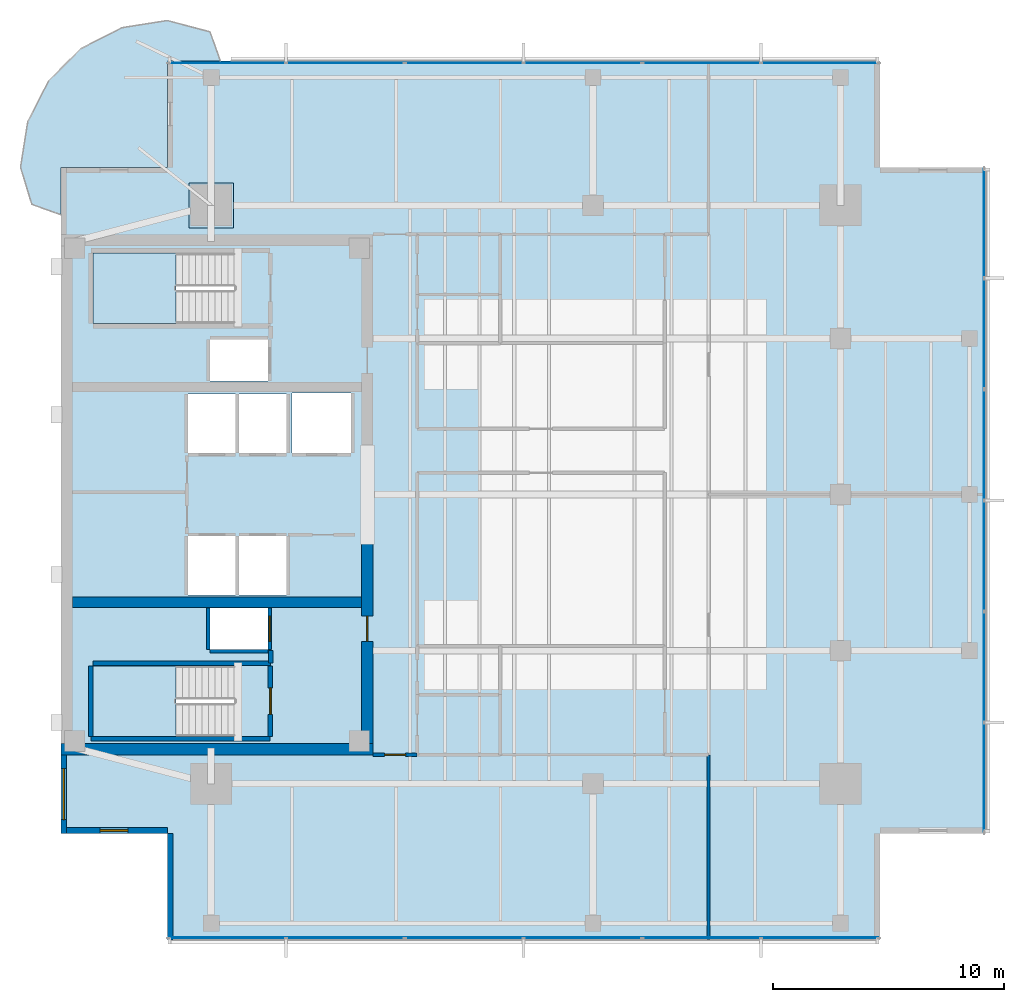
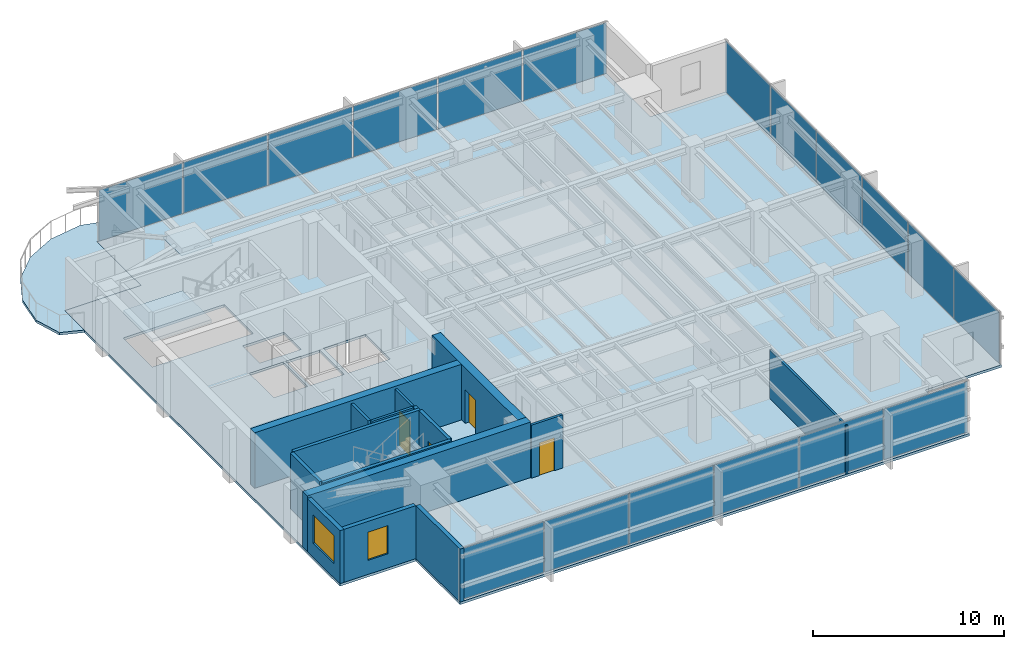
# One storey, part 7 of 14: 19 plates, 16 walls, 4 doors, 4 slabs, 2 windows, 6 openings, 5 elements without a shape of their own.
"""IFC4 building model written with IfcOpenShell, lengths in metres."""

from ifc_helpers import new_model, si_unit, direction, frame, frame_2d, origin, origin_2d, place, context, subcontext, project, spatial, polyline, rectangle, outline, extrude, material, layer, layer_set, type_object, element, fill, aggregate, save


model = new_model("IFC4")

# Units and contexts
model_context = context("Model", 3, precision=1e-05, world=origin(), true_north=direction((0.0, 1.0)))
body_context = subcontext(model_context, "Body", "Model", "MODEL_VIEW")
ifc_project = project(units=[si_unit("LENGTHUNIT", "METRE"), si_unit("AREAUNIT", "SQUARE_METRE"), si_unit("VOLUMEUNIT", "CUBIC_METRE"), si_unit("PLANEANGLEUNIT", "RADIAN"), si_unit("MASSUNIT", "GRAM", prefix="KILO")], contexts=[model_context])

# Site, building, storey
site_placement = place(None, origin())
site = spatial("IfcSite", under=ifc_project, at=site_placement, CompositionType="ELEMENT")
building_placement = place(site_placement, origin())
building = spatial("IfcBuilding", under=site, at=building_placement, Name="Kinhvarn Gate Tower", CompositionType="ELEMENT")
storey_placement = place(building_placement, frame((0.0, 0.0, 263.449951171875)))
storey = spatial("IfcBuildingStorey", under=building, at=storey_placement, Name="L70", CompositionType="ELEMENT", Elevation=263.449951171875)

# Curtain wall, plates
ifc_material_1 = material(Name="Anodised aluminium AW-6063", Category="aluminium")
ifc_layer_1 = layer(ifc_material_1, 0.179931640625)
ifc_layer_set_1 = layer_set([ifc_layer_1], Name="Anodised aluminium AW-6063")
curtain_wall_type = type_object("IfcCurtainWallType", Name="CW-SYS-3", PredefinedType="NOTDEFINED", material=ifc_layer_set_1)
curtain_wall_1_placement = place(storey_placement, origin())
curtain_wall_1 = element("IfcCurtainWall", 1, at=curtain_wall_1_placement, inside=storey, type_object=curtain_wall_type, Name="Curtain Wall CW3 (L70)", PredefinedType="NOTDEFINED")
ifc_material_2 = material(Name="Clear low-e double glazing", Category="glass")
ifc_layer_2 = layer(ifc_material_2, 0.031982421875)
ifc_layer_set_2 = layer_set([ifc_layer_2], Name="Clear low-e double glazing")
plate_type_1 = type_object("IfcPlateType", Name="CW-PNL-VIS", PredefinedType="CURTAIN_PANEL", material=ifc_layer_set_2)
plate_1_placement = place(storey_placement, frame((11.682861328125, 6.090087890625, 0.070068359375), z_axis=(0.0, 0.0, 1.0), x_axis=(1.0, 0.0, 0.0)))
plate_1 = element("IfcPlate", 2, at=plate_1_placement, type_object=plate_type_1, Name="CW3 panel 1.1", PredefinedType="CURTAIN_PANEL", context=body_context, shape_type="SweptSolid", body=[
    extrude(rectangle(XDim=5.035888671875, YDim=0.031982421875, at=origin_2d()), origin(), (0.0, 0.0, 1.0), 3.25),
])
plate_2_placement = place(storey_placement, frame((16.800048828125, 6.090087890625, 0.070068359375), z_axis=(0.0, 0.0, 1.0), x_axis=(1.0, 0.0, 0.0)))
plate_2 = element("IfcPlate", 3, at=plate_2_placement, type_object=plate_type_1, Name="CW3 panel 2.1", PredefinedType="CURTAIN_PANEL", context=body_context, shape_type="SweptSolid", body=[
    extrude(rectangle(XDim=5.068359375, YDim=0.031982421875, at=origin_2d()), origin(), (0.0, 0.0, 1.0), 3.25),
])
plate_3_placement = place(storey_placement, frame((21.933349609375, 6.090087890625, 0.070068359375), z_axis=(0.0, 0.0, 1.0), x_axis=(1.0, 0.0, 0.0)))
plate_3 = element("IfcPlate", 4, at=plate_3_placement, type_object=plate_type_1, Name="CW3 panel 3.1", PredefinedType="CURTAIN_PANEL", context=body_context, shape_type="SweptSolid", body=[
    extrude(rectangle(XDim=5.068359375, YDim=0.031982421875, at=origin_2d()), origin(), (0.0, 0.0, 1.0), 3.25),
])
plate_4_placement = place(storey_placement, frame((27.066650390625, 6.090087890625, 0.070068359375), z_axis=(0.0, 0.0, 1.0), x_axis=(1.0, 0.0, 0.0)))
plate_4 = element("IfcPlate", 5, at=plate_4_placement, type_object=plate_type_1, Name="CW3 panel 4.1", PredefinedType="CURTAIN_PANEL", context=body_context, shape_type="SweptSolid", body=[
    extrude(rectangle(XDim=5.068359375, YDim=0.031982421875, at=origin_2d()), origin(), (0.0, 0.0, 1.0), 3.25),
])
plate_5_placement = place(storey_placement, frame((32.199951171875, 6.090087890625, 0.070068359375), z_axis=(0.0, 0.0, 1.0), x_axis=(1.0, 0.0, 0.0)))
plate_5 = element("IfcPlate", 6, at=plate_5_placement, type_object=plate_type_1, Name="CW3 panel 5.1", PredefinedType="CURTAIN_PANEL", context=body_context, shape_type="SweptSolid", body=[
    extrude(rectangle(XDim=5.068359375, YDim=0.031982421875, at=origin_2d()), origin(), (0.0, 0.0, 1.0), 3.25),
])
plate_6_placement = place(storey_placement, frame((37.317138671875, 6.090087890625, 0.070068359375), z_axis=(0.0, 0.0, 1.0), x_axis=(1.0, 0.0, 0.0)))
plate_6 = element("IfcPlate", 7, at=plate_6_placement, type_object=plate_type_1, Name="CW3 panel 6.1", PredefinedType="CURTAIN_PANEL", context=body_context, shape_type="SweptSolid", body=[
    extrude(rectangle(XDim=5.035888671875, YDim=0.031982421875, at=origin_2d()), origin(), (0.0, 0.0, 1.0), 3.25),
])
aggregate(curtain_wall_1, [plate_1, plate_2, plate_3, plate_4, plate_5, plate_6])

curtain_wall_2_placement = place(storey_placement, origin())
curtain_wall_2 = element("IfcCurtainWall", 8, at=curtain_wall_2_placement, inside=storey, type_object=curtain_wall_type, Name="Curtain Wall CW3 (L70)", PredefinedType="NOTDEFINED")
plate_7_placement = place(storey_placement, frame((37.317138671875, 43.909912109375, 0.070068359375), z_axis=(0.0, 0.0, 1.0), x_axis=(-1.0, 0.0, 0.0)))
plate_7 = element("IfcPlate", 9, at=plate_7_placement, type_object=plate_type_1, Name="CW3 panel 1.1", PredefinedType="CURTAIN_PANEL", context=body_context, shape_type="SweptSolid", body=[
    extrude(rectangle(XDim=5.035888671875, YDim=0.031982421875, at=origin_2d()), origin(), (0.0, 0.0, 1.0), 3.25),
])
plate_8_placement = place(storey_placement, frame((32.199951171875, 43.909912109375, 0.070068359375), z_axis=(0.0, 0.0, 1.0), x_axis=(-1.0, 0.0, 0.0)))
plate_8 = element("IfcPlate", 10, at=plate_8_placement, type_object=plate_type_1, Name="CW3 panel 2.1", PredefinedType="CURTAIN_PANEL", context=body_context, shape_type="SweptSolid", body=[
    extrude(rectangle(XDim=5.068359375, YDim=0.031982421875, at=origin_2d()), origin(), (0.0, 0.0, 1.0), 3.25),
])
plate_9_placement = place(storey_placement, frame((27.066650390625, 43.909912109375, 0.070068359375), z_axis=(0.0, 0.0, 1.0), x_axis=(-1.0, 0.0, 0.0)))
plate_9 = element("IfcPlate", 11, at=plate_9_placement, type_object=plate_type_1, Name="CW3 panel 3.1", PredefinedType="CURTAIN_PANEL", context=body_context, shape_type="SweptSolid", body=[
    extrude(rectangle(XDim=5.068359375, YDim=0.031982421875, at=origin_2d()), origin(), (0.0, 0.0, 1.0), 3.25),
])
plate_10_placement = place(storey_placement, frame((21.933349609375, 43.909912109375, 0.070068359375), z_axis=(0.0, 0.0, 1.0), x_axis=(-1.0, 0.0, 0.0)))
plate_10 = element("IfcPlate", 12, at=plate_10_placement, type_object=plate_type_1, Name="CW3 panel 4.1", PredefinedType="CURTAIN_PANEL", context=body_context, shape_type="SweptSolid", body=[
    extrude(rectangle(XDim=5.068359375, YDim=0.031982421875, at=origin_2d()), origin(), (0.0, 0.0, 1.0), 3.25),
])
plate_11_placement = place(storey_placement, frame((16.800048828125, 43.909912109375, 0.070068359375), z_axis=(0.0, 0.0, 1.0), x_axis=(-1.0, 0.0, 0.0)))
plate_11 = element("IfcPlate", 13, at=plate_11_placement, type_object=plate_type_1, Name="CW3 panel 5.1", PredefinedType="CURTAIN_PANEL", context=body_context, shape_type="SweptSolid", body=[
    extrude(rectangle(XDim=5.068359375, YDim=0.031982421875, at=origin_2d()), origin(), (0.0, 0.0, 1.0), 3.25),
])
plate_12_placement = place(storey_placement, frame((11.682861328125, 43.909912109375, 0.070068359375), z_axis=(0.0, 0.0, 1.0), x_axis=(-1.0, 0.0, 0.0)))
plate_12 = element("IfcPlate", 14, at=plate_12_placement, type_object=plate_type_1, Name="CW3 panel 6.1", PredefinedType="CURTAIN_PANEL", context=body_context, shape_type="SweptSolid", body=[
    extrude(rectangle(XDim=5.035888671875, YDim=0.031982421875, at=origin_2d()), origin(), (0.0, 0.0, 1.0), 3.25),
])
aggregate(curtain_wall_2, [plate_7, plate_8, plate_9, plate_10, plate_11, plate_12])

curtain_wall_3_placement = place(storey_placement, origin())
curtain_wall_3 = element("IfcCurtainWall", 15, at=curtain_wall_3_placement, inside=storey, type_object=curtain_wall_type, Name="Curtain Wall CW3 (L70)", PredefinedType="NOTDEFINED")
plate_13_placement = place(storey_placement, frame((44.409912109375, 13.016357421875, 0.070068359375), z_axis=(0.0, 0.0, 1.0), x_axis=(0.0, 1.0, 0.0)))
plate_13 = element("IfcPlate", 16, at=plate_13_placement, type_object=plate_type_1, Name="CW3 panel 1.1", PredefinedType="CURTAIN_PANEL", context=body_context, shape_type="SweptSolid", body=[
    extrude(rectangle(XDim=4.702392578125, YDim=0.031982421875, at=origin_2d()), origin(), (0.0, 0.0, 1.0), 3.25),
])
plate_14_placement = place(storey_placement, frame((44.409912109375, 17.800048828125, 0.070068359375), z_axis=(0.0, 0.0, 1.0), x_axis=(0.0, 1.0, 0.0)))
plate_14 = element("IfcPlate", 17, at=plate_14_placement, type_object=plate_type_1, Name="CW3 panel 2.1", PredefinedType="CURTAIN_PANEL", context=body_context, shape_type="SweptSolid", body=[
    extrude(rectangle(XDim=4.735107421875, YDim=0.031982421875, at=origin_2d()), origin(), (0.0, 0.0, 1.0), 3.25),
])
plate_15_placement = place(storey_placement, frame((44.409912109375, 22.60009765625, 0.070068359375), z_axis=(0.0, 0.0, 1.0), x_axis=(0.0, 1.0, 0.0)))
plate_15 = element("IfcPlate", 18, at=plate_15_placement, type_object=plate_type_1, Name="CW3 panel 3.1", PredefinedType="CURTAIN_PANEL", context=body_context, shape_type="SweptSolid", body=[
    extrude(rectangle(XDim=4.735107421875, YDim=0.031982421875, at=origin_2d()), origin(), (0.0, 0.0, 1.0), 3.25),
])
plate_16_placement = place(storey_placement, frame((44.409912109375, 27.39990234375, 0.070068359375), z_axis=(0.0, 0.0, 1.0), x_axis=(0.0, 1.0, 0.0)))
plate_16 = element("IfcPlate", 19, at=plate_16_placement, type_object=plate_type_1, Name="CW3 panel 4.1", PredefinedType="CURTAIN_PANEL", context=body_context, shape_type="SweptSolid", body=[
    extrude(rectangle(XDim=4.735107421875, YDim=0.031982421875, at=origin_2d()), origin(), (0.0, 0.0, 1.0), 3.25),
])
plate_17_placement = place(storey_placement, frame((44.409912109375, 32.199951171875, 0.070068359375), z_axis=(0.0, 0.0, 1.0), x_axis=(0.0, 1.0, 0.0)))
plate_17 = element("IfcPlate", 20, at=plate_17_placement, type_object=plate_type_1, Name="CW3 panel 5.1", PredefinedType="CURTAIN_PANEL", context=body_context, shape_type="SweptSolid", body=[
    extrude(rectangle(XDim=4.735107421875, YDim=0.031982421875, at=origin_2d()), origin(), (0.0, 0.0, 1.0), 3.25),
])
plate_18_placement = place(storey_placement, frame((44.409912109375, 36.983642578125, 0.070068359375), z_axis=(0.0, 0.0, 1.0), x_axis=(0.0, 1.0, 0.0)))
plate_18 = element("IfcPlate", 21, at=plate_18_placement, type_object=plate_type_1, Name="CW3 panel 6.1", PredefinedType="CURTAIN_PANEL", context=body_context, shape_type="SweptSolid", body=[
    extrude(rectangle(XDim=4.702392578125, YDim=0.031982421875, at=origin_2d()), origin(), (0.0, 0.0, 1.0), 3.25),
])
aggregate(curtain_wall_3, [plate_13, plate_14, plate_15, plate_16, plate_17, plate_18])

# Plate
ifc_material_3 = material(Name="Steel S355", Category="steel")
ifc_layer_3 = layer(ifc_material_3, 0.031982421875)
ifc_layer_set_3 = layer_set([ifc_layer_3], Name="Steel S355")
plate_type_2 = type_object("IfcPlateType", Name="PLT-NODE-KN3", PredefinedType="USERDEFINED", material=ifc_layer_set_3)
plate_19_placement = place(storey_placement, frame((0.0, 0.0, 3.1240234375)))
element("IfcPlate", 22, at=plate_19_placement, inside=storey, type_object=plate_type_2, Name="Structural Node Cap Plate KN3", ObjectType="GUSSET_PLATE", PredefinedType="USERDEFINED", context=body_context, shape_type="SweptSolid", body=[
    extrude(outline(polyline([(10.030029296875, 36.780029296875), (11.969970703125, 36.780029296875), (11.969970703125, 38.719970703125), (10.030029296875, 38.719970703125), (10.030029296875, 36.780029296875)])), origin(), (0.0, 0.0, 1.0), 0.031982421875),
])

# Slabs
ifc_material_4 = material(Name="Precast white architectural concrete C40/50", Category="concrete")
ifc_layer_4 = layer(ifc_material_4, 0.159912109375)
ifc_layer_set_4 = layer_set([ifc_layer_4], Name="Precast white architectural concrete C40/50")
slab_type_1 = type_object("IfcSlabType", Name="SLB-BAL-160", PredefinedType="FLOOR", material=ifc_layer_set_4)
slab_1_placement = place(storey_placement, frame((0.0, 0.0, -0.159912109375)))
element("IfcSlab", 23, at=slab_1_placement, inside=storey, type_object=slab_type_1, Name="S-Carve Curved Terrace Balcony Slab L70 (NW)", PredefinedType="FLOOR", context=body_context, shape_type="SweptSolid", body=[
    extrude(outline(polyline([(11.39501953125, 44.0), (10.945068359375, 45.254150390625), (9.10009765625, 45.741943359375), (7.14013671875, 45.431640625), (5.372314453125, 44.53076171875), (3.96923828125, 43.127685546875), (3.068359375, 41.35986328125), (2.758056640625, 39.39990234375), (3.245849609375, 37.799072265625), (4.5, 37.34912109375), (4.5, 39.39990234375), (9.10009765625, 39.39990234375), (9.10009765625, 44.0), (11.39501953125, 44.0)])), origin(), (0.0, 0.0, 1.0), 0.159912109375),
])
ifc_material_5 = material(Name="Concrete C40/50", Category="concrete")
ifc_layer_5 = layer(ifc_material_5, 0.159912109375)
ifc_layer_set_5 = layer_set([ifc_layer_5], Name="Concrete C40/50")
slab_type_2 = type_object("IfcSlabType", Name="SLB-FLR-160", PredefinedType="FLOOR", material=ifc_layer_set_5)
slab_2_placement = place(storey_placement, frame((0.0, 0.0, -0.159912109375)))
element("IfcSlab", 24, at=slab_2_placement, inside=storey, type_object=slab_type_2, Name="Suspended Floor Slab L70", PredefinedType="FLOOR", context=body_context, shape_type="SweptSolid", body=[
    extrude(outline(polyline([(9.10009765625, 6.0), (39.89990234375, 6.0), (39.89990234375, 10.60009765625), (44.5, 10.60009765625), (44.5, 39.39990234375), (39.89990234375, 39.39990234375), (39.89990234375, 44.0), (9.10009765625, 44.0), (9.10009765625, 39.39990234375), (4.5, 39.39990234375), (4.5, 10.60009765625), (9.10009765625, 10.60009765625), (9.10009765625, 6.0)]), holes=[polyline([(5.89990234375, 14.800048828125), (12.0, 14.800048828125), (12.0, 17.85009765625), (5.89990234375, 17.85009765625), (5.89990234375, 14.800048828125)]), polyline([(5.89990234375, 32.64990234375), (12.0, 32.64990234375), (12.0, 35.699951171875), (5.89990234375, 35.699951171875), (5.89990234375, 32.64990234375)]), polyline([(10.0, 20.89990234375), (12.050048828125, 20.89990234375), (12.050048828125, 23.449951171875), (10.0, 23.449951171875), (10.0, 20.89990234375)]), polyline([(12.199951171875, 20.89990234375), (14.25, 20.89990234375), (14.25, 23.449951171875), (12.199951171875, 23.449951171875), (12.199951171875, 20.89990234375)]), polyline([(10.0, 27.050048828125), (12.050048828125, 27.050048828125), (12.050048828125, 29.60009765625), (10.0, 29.60009765625), (10.0, 27.050048828125)]), polyline([(12.199951171875, 27.050048828125), (14.25, 27.050048828125), (14.25, 29.60009765625), (12.199951171875, 29.60009765625), (12.199951171875, 27.050048828125)]), polyline([(14.5, 27.050048828125), (17.050048828125, 27.050048828125), (17.050048828125, 29.64990234375), (14.5, 29.64990234375), (14.5, 27.050048828125)]), polyline([(10.949951171875, 18.550048828125), (13.449951171875, 18.550048828125), (13.449951171875, 20.35009765625), (10.949951171875, 20.35009765625), (10.949951171875, 18.550048828125)]), polyline([(10.949951171875, 30.14990234375), (13.449951171875, 30.14990234375), (13.449951171875, 31.949951171875), (10.949951171875, 31.949951171875), (10.949951171875, 30.14990234375)])]), origin(), (0.0, 0.0, 1.0), 0.159912109375),
])

# Stair, slab
stair_type = type_object("IfcStairType", Name="STR-DLG-178", PredefinedType="HALF_TURN_STAIR", material=ifc_material_5)
stair_1_placement = place(storey_placement, origin())
stair_1 = element("IfcStair", 25, at=stair_1_placement, inside=storey, type_object=stair_type, Name="L70 Core Smokeproof Exit Stair ST1", PredefinedType="HALF_TURN_STAIR")
ifc_layer_6 = layer(ifc_material_5, 0.199951171875)
ifc_layer_set_6 = layer_set([ifc_layer_6], Name="Concrete C40/50")
slab_type_3 = type_object("IfcSlabType", Name="SLB-ST-LND", PredefinedType="LANDING", material=ifc_layer_set_6)
slab_3_placement = place(storey_placement, frame((0.0, 0.0, 1.574951171875)))
slab_3 = element("IfcSlab", 26, at=slab_3_placement, type_object=slab_type_3, Name="ST1 landing 1", PredefinedType="LANDING", context=body_context, shape_type="SweptSolid", body=[
    extrude(outline(polyline([(9.47998046875, 17.85009765625), (5.89990234375, 17.85009765625), (5.89990234375, 14.800048828125), (9.47998046875, 14.800048828125), (9.47998046875, 17.85009765625)])), origin(), (0.0, 0.0, 1.0), 0.2001953125),
])
aggregate(stair_1, [slab_3])

stair_2_placement = place(storey_placement, origin())
stair_2 = element("IfcStair", 27, at=stair_2_placement, inside=storey, type_object=stair_type, Name="L70 Core Smokeproof Exit Stair ST2", PredefinedType="HALF_TURN_STAIR")
slab_4_placement = place(storey_placement, frame((0.0, 0.0, 1.574951171875)))
slab_4 = element("IfcSlab", 28, at=slab_4_placement, type_object=slab_type_3, Name="ST2 landing 1", PredefinedType="LANDING", context=body_context, shape_type="SweptSolid", body=[
    extrude(outline(polyline([(9.47998046875, 35.699951171875), (5.89990234375, 35.699951171875), (5.89990234375, 32.64990234375), (9.47998046875, 32.64990234375), (9.47998046875, 35.699951171875)])), origin(), (0.0, 0.0, 1.0), 0.2001953125),
])
aggregate(stair_2, [slab_4])

# Walls
ifc_material_6 = material(Name="Concrete C50/60", Category="concrete")
ifc_layer_7 = layer(ifc_material_6, 0.449951171875)
ifc_layer_set_7 = layer_set([ifc_layer_7], Name="Concrete C50/60")
wall_type_1 = type_object("IfcWallType", Name="WL-CORE-450", PredefinedType="SHEAR", material=ifc_layer_set_7)
wall_1_placement = place(storey_placement, frame((5.0, 20.60009765625, 0.0), z_axis=(0.0, 0.0, 1.0), x_axis=(1.0, 0.0, 0.0)))
element("IfcWall", 29, at=wall_1_placement, inside=storey, type_object=wall_type_1, Name="Core South Spine Shear Wall L70 450 mm", PredefinedType="SHEAR", context=body_context, shape_type="SweptSolid", body=[
    extrude(rectangle(XDim=12.5, YDim=0.449951171875, at=frame_2d((6.25, 0.0))), origin(), (0.0, 0.0, 1.0), 3.550048828125),
])
ifc_layer_8 = layer(ifc_material_6, 0.5)
ifc_layer_set_8 = layer_set([ifc_layer_8], Name="Concrete C50/60")
wall_type_2 = type_object("IfcWallType", Name="WL-CORE-500", PredefinedType="SHEAR", material=ifc_layer_set_8)
wall_2_placement = place(storey_placement, frame((4.5, 14.25, 0.0), z_axis=(0.0, 0.0, 1.0), x_axis=(1.0, 0.0, 0.0)))
element("IfcWall", 30, at=wall_2_placement, inside=storey, type_object=wall_type_2, Name="Core South Shear Wall L70 500 mm", PredefinedType="SHEAR", context=body_context, shape_type="SweptSolid", body=[
    extrude(rectangle(XDim=13.5, YDim=0.5, at=frame_2d((6.75, 0.0))), origin(), (0.0, 0.0, 1.0), 3.550048828125),
])

# Wall, opening, door
wall_3_placement = place(storey_placement, frame((17.75, 14.5, 0.0), z_axis=(0.0, 0.0, 1.0), x_axis=(0.0, 1.0, 0.0)))
wall_3 = element("IfcWall", 31, at=wall_3_placement, inside=storey, type_object=wall_type_2, Name="Core East-South Shear Pier L70 500 mm", PredefinedType="SHEAR", context=body_context, shape_type="SweptSolid", body=[
    extrude(rectangle(XDim=8.949951171875, YDim=0.5, at=frame_2d((4.47509765625, 0.0))), origin(), (0.0, 0.0, 1.0), 3.550048828125),
])
opening_1_placement = place(wall_3_placement, frame((4.39990234375, 0.0, 0.0)))
opening_1 = element("IfcOpeningElement", 32, at=opening_1_placement, cuts=wall_3, Name="Opening FD-02", PredefinedType="OPENING", context=body_context, shape_type="SweptSolid", body=[
    extrude(rectangle(XDim=1.10009765625, YDim=2.14990234375, at=frame_2d((0.550048828125, 1.074951171875))), frame((0.0, 0.260009765625, 0.0), z_axis=(0.0, -1.0, 0.0), x_axis=(1.0, 0.0, 0.0)), (0.0, 0.0, 1.0), 0.52001953125),
])
door_type_1 = type_object("IfcDoorType", Name="DR-FD-1100", OperationType="NOTDEFINED", PredefinedType="DOOR", material=ifc_material_1)
door_1_placement = place(opening_1_placement, origin())
door_1 = element("IfcDoor", 33, at=door_1_placement, inside=storey, type_object=door_type_1, Name="Firefighting Lobby Core Door (L70)", OperationType="SINGLE_SWING_RIGHT", OverallHeight=2.14990234375, OverallWidth=1.10009765625, PredefinedType="DOOR", context=body_context, shape_type="SweptSolid", body=[
    extrude(rectangle(XDim=1.10009765625, YDim=2.14990234375, at=frame_2d((0.550048828125, 1.074951171875))), frame((0.0, 0.02490234375, 0.0), z_axis=(0.0, -1.0, 0.0), x_axis=(1.0, 0.0, 0.0)), (0.0, 0.0, 1.0), 0.050048828125),
])
fill(opening_1, door_1)

# Wall, opening, window
ifc_material_7 = material(Name="Fired architectural terracotta", Category="masonry")
ifc_layer_9 = layer(ifc_material_7, 0.25)
ifc_layer_set_9 = layer_set([ifc_layer_9], Name="Fired architectural terracotta")
wall_type_3 = type_object("IfcWallType", Name="WL-EXT-250", PredefinedType="SOLIDWALL", material=ifc_layer_set_9)
wall_4_placement = place(storey_placement, frame((4.625, 14.0, 0.0), z_axis=(0.0, 0.0, 1.0), x_axis=(0.0, -1.0, 0.0)))
wall_4 = element("IfcWall", 34, at=wall_4_placement, inside=storey, type_object=wall_type_3, Name="Exterior Solidwall Wall EW-250 (L70 West-South)", PredefinedType="SOLIDWALL", context=body_context, shape_type="SweptSolid", body=[
    extrude(rectangle(XDim=3.39990234375, YDim=0.25, at=frame_2d((1.699951171875, 0.0))), origin(), (0.0, 0.0, 1.0), 3.39013671875),
])
opening_2_placement = place(wall_4_placement, frame((0.60009765625, 0.0, 0.89990234375)))
opening_2 = element("IfcOpeningElement", 35, at=opening_2_placement, cuts=wall_4, Name="Opening WN-01", PredefinedType="OPENING", context=body_context, shape_type="SweptSolid", body=[
    extrude(rectangle(XDim=2.199951171875, YDim=1.800048828125, at=frame_2d((1.10009765625, 0.89990234375))), frame((0.0, 0.135009765625, 0.0), z_axis=(0.0, -1.0, 0.0), x_axis=(1.0, 0.0, 0.0)), (0.0, 0.0, 1.0), 0.27001953125),
])
window_type_1 = type_object("IfcWindowType", Name="WIN-RIB-2200", PartitioningType="SINGLE_PANEL", PredefinedType="WINDOW", material=ifc_material_2)
window_1_placement = place(opening_2_placement, origin())
window_1 = element("IfcWindow", 36, at=window_1_placement, inside=storey, type_object=window_type_1, Name="West Flank Double-Glazed Ribbon Window 2200x1800 mm (L70)", OverallHeight=1.800048828125, OverallWidth=2.199951171875, PartitioningType="SINGLE_PANEL", PredefinedType="WINDOW", context=body_context, shape_type="SweptSolid", body=[
    extrude(rectangle(XDim=2.199951171875, YDim=1.800048828125, at=frame_2d((1.10009765625, 0.89990234375))), frame((0.0, 0.030029296875, 0.0), z_axis=(0.0, -1.0, 0.0), x_axis=(1.0, 0.0, 0.0)), (0.0, 0.0, 1.0), 0.06005859375),
])
fill(opening_2, window_1)

wall_5_placement = place(storey_placement, frame((4.5, 10.72509765625, 0.0), z_axis=(0.0, 0.0, 1.0), x_axis=(1.0, 0.0, 0.0)))
wall_5 = element("IfcWall", 37, at=wall_5_placement, inside=storey, type_object=wall_type_3, Name="Exterior Solidwall Wall EW-250 (L70 SW-Notch-1)", PredefinedType="SOLIDWALL", context=body_context, shape_type="SweptSolid", body=[
    extrude(rectangle(XDim=4.60009765625, YDim=0.25, at=frame_2d((2.300048828125, 0.0))), origin(), (0.0, 0.0, 1.0), 3.39013671875),
])
opening_3_placement = place(wall_5_placement, frame((1.699951171875, 0.0, 0.89990234375)))
opening_3 = element("IfcOpeningElement", 38, at=opening_3_placement, cuts=wall_5, Name="Opening WN-02", PredefinedType="OPENING", context=body_context, shape_type="SweptSolid", body=[
    extrude(rectangle(XDim=1.199951171875, YDim=1.800048828125, at=frame_2d((0.60009765625, 0.89990234375))), frame((0.0, 0.135009765625, 0.0), z_axis=(0.0, -1.0, 0.0), x_axis=(1.0, 0.0, 0.0)), (0.0, 0.0, 1.0), 0.27001953125),
])
window_type_2 = type_object("IfcWindowType", Name="WIN-NTC-1200", PartitioningType="SINGLE_PANEL", PredefinedType="WINDOW", material=ifc_material_2)
window_2_placement = place(opening_3_placement, origin())
window_2 = element("IfcWindow", 39, at=window_2_placement, inside=storey, type_object=window_type_2, Name="Recessed Corner Notch Punched Window 1200x1800 mm (L70)", OverallHeight=1.800048828125, OverallWidth=1.199951171875, PartitioningType="SINGLE_PANEL", PredefinedType="WINDOW", context=body_context, shape_type="SweptSolid", body=[
    extrude(rectangle(XDim=1.199951171875, YDim=1.800048828125, at=frame_2d((0.60009765625, 0.89990234375))), frame((0.0, 0.030029296875, 0.0), z_axis=(0.0, -1.0, 0.0), x_axis=(1.0, 0.0, 0.0)), (0.0, 0.0, 1.0), 0.06005859375),
])
fill(opening_3, window_2)

# Walls
wall_6_placement = place(storey_placement, frame((9.22509765625, 10.60009765625, 0.0), z_axis=(0.0, 0.0, 1.0), x_axis=(0.0, -1.0, 0.0)))
element("IfcWall", 40, at=wall_6_placement, inside=storey, type_object=wall_type_3, Name="Exterior Solidwall Wall EW-250 (L70 SW-Notch-2)", PredefinedType="SOLIDWALL", context=body_context, shape_type="SweptSolid", body=[
    extrude(rectangle(XDim=4.60009765625, YDim=0.25, at=frame_2d((2.300048828125, 0.0))), origin(), (0.0, 0.0, 1.0), 3.39013671875),
])
ifc_material_8 = material(Name="Gypsum acoustic partition board")
ifc_layer_10 = layer(ifc_material_8, 0.1201171875)
ifc_layer_set_10 = layer_set([ifc_layer_10], Name="Gypsum acoustic partition board")
wall_type_4 = type_object("IfcWallType", Name="WL-PRT-120", PredefinedType="PARTITIONING", material=ifc_layer_set_10)
wall_7_placement = place(storey_placement, frame((32.5, 6.010009765625, 0.0), z_axis=(0.0, 0.0, 1.0), x_axis=(0.0, 1.0, 0.0)))
element("IfcWall", 41, at=wall_7_placement, inside=storey, type_object=wall_type_4, Name="Interior Partition PW-120 (L70)", PredefinedType="PARTITIONING", context=body_context, shape_type="SweptSolid", body=[
    extrude(rectangle(XDim=7.989990234375, YDim=0.1201171875, at=frame_2d((3.9951171875, 0.0))), origin(), (0.0, 0.0, 1.0), 3.1201171875),
])

# Wall, opening, door
ifc_layer_11 = layer(ifc_material_8, 0.14990234375)
ifc_layer_set_11 = layer_set([ifc_layer_11], Name="Gypsum acoustic partition board")
wall_type_5 = type_object("IfcWallType", Name="WL-PRT-150F", PredefinedType="PARTITIONING", material=ifc_layer_set_11)
wall_8_placement = place(storey_placement, frame((18.0, 14.0, 0.0), z_axis=(0.0, 0.0, 1.0), x_axis=(1.0, 0.0, 0.0)))
wall_8 = element("IfcWall", 42, at=wall_8_placement, inside=storey, type_object=wall_type_5, Name="Interior Partition PW-150F (L70)", PredefinedType="PARTITIONING", context=body_context, shape_type="SweptSolid", body=[
    extrude(rectangle(XDim=1.89990234375, YDim=0.14990234375, at=frame_2d((0.949951171875, 0.0))), origin(), (0.0, 0.0, 1.0), 3.39013671875),
])
opening_4_placement = place(wall_8_placement, frame((0.5, 0.0, 0.0)))
opening_4 = element("IfcOpeningElement", 43, at=opening_4_placement, cuts=wall_8, Name="Opening ID-03", PredefinedType="OPENING", context=body_context, shape_type="SweptSolid", body=[
    extrude(rectangle(XDim=0.89990234375, YDim=2.10009765625, at=frame_2d((0.449951171875, 1.050048828125))), frame((0.0, 0.0849609375, 0.0), z_axis=(0.0, -1.0, 0.0), x_axis=(1.0, 0.0, 0.0)), (0.0, 0.0, 1.0), 0.169921875),
])
door_type_2 = type_object("IfcDoorType", Name="DR-INT-900", OperationType="NOTDEFINED", PredefinedType="DOOR", material=ifc_material_1)
door_2_placement = place(opening_4_placement, origin())
door_2 = element("IfcDoor", 44, at=door_2_placement, inside=storey, type_object=door_type_2, Name="Cellular Office & Restroom Door 900x2100 mm (L70)", OperationType="SINGLE_SWING_RIGHT", OverallHeight=2.10009765625, OverallWidth=0.89990234375, PredefinedType="DOOR", context=body_context, shape_type="SweptSolid", body=[
    extrude(rectangle(XDim=0.89990234375, YDim=2.10009765625, at=frame_2d((0.449951171875, 1.050048828125))), frame((0.0, 0.02490234375, 0.0), z_axis=(0.0, -1.0, 0.0), x_axis=(1.0, 0.0, 0.0)), (0.0, 0.0, 1.0), 0.050048828125),
])
fill(opening_4, door_2)

# Walls
ifc_layer_12 = layer(ifc_material_8, 0.199951171875)
ifc_layer_set_12 = layer_set([ifc_layer_12], Name="Gypsum acoustic partition board")
wall_type_6 = type_object("IfcWallType", Name="WL-PRT-200", PredefinedType="PARTITIONING", material=ifc_layer_set_12)
wall_9_placement = place(storey_placement, frame((13.580078125, 17.9599609375, 0.0), z_axis=(0.0, 0.0, 1.0), x_axis=(0.0, 1.0, 0.0)))
element("IfcWall", 45, at=wall_9_placement, inside=storey, type_object=wall_type_6, Name="Interior Partition PW-200 (L70)", PredefinedType="PARTITIONING", context=body_context, shape_type="SweptSolid", body=[
    extrude(rectangle(XDim=0.5400390625, YDim=0.199951171875, at=frame_2d((0.27001953125, 0.0))), origin(), (0.0, 0.0, 1.0), 3.39013671875),
])
ifc_layer_13 = layer(ifc_material_8, 0.14990234375)
ifc_layer_set_13 = layer_set([ifc_layer_13], Name="Gypsum acoustic partition board")
wall_type_7 = type_object("IfcWallType", Name="WL-SHF-150", PredefinedType="PARTITIONING", material=ifc_layer_set_13)
wall_10_placement = place(storey_placement, frame((10.949951171875, 18.47509765625, 0.0), z_axis=(0.0, 0.0, 1.0), x_axis=(1.0, 0.0, 0.0)))
element("IfcWall", 46, at=wall_10_placement, inside=storey, type_object=wall_type_7, Name="Elevator FF1 Hoistway Wall S (L70)", PredefinedType="PARTITIONING", context=body_context, shape_type="SweptSolid", body=[
    extrude(rectangle(XDim=2.5, YDim=0.14990234375, at=frame_2d((1.25, 0.0))), origin(), (0.0, 0.0, 1.0), 3.39013671875),
])
wall_11_placement = place(storey_placement, frame((10.875, 18.550048828125, 0.0), z_axis=(0.0, 0.0, 1.0), x_axis=(0.0, 1.0, 0.0)))
element("IfcWall", 47, at=wall_11_placement, inside=storey, type_object=wall_type_7, Name="Elevator FF1 Hoistway Wall W (L70)", PredefinedType="PARTITIONING", context=body_context, shape_type="SweptSolid", body=[
    extrude(rectangle(XDim=1.800048828125, YDim=0.14990234375, at=frame_2d((0.89990234375, 0.0))), origin(), (0.0, 0.0, 1.0), 3.39013671875),
])

# Wall, opening, door
wall_12_placement = place(storey_placement, frame((13.52490234375, 18.550048828125, 0.0), z_axis=(0.0, 0.0, 1.0), x_axis=(0.0, 1.0, 0.0)))
wall_12 = element("IfcWall", 48, at=wall_12_placement, inside=storey, type_object=wall_type_7, Name="Elevator FF1 Landing Wall (L70)", PredefinedType="PARTITIONING", context=body_context, shape_type="SweptSolid", body=[
    extrude(rectangle(XDim=1.800048828125, YDim=0.14990234375, at=frame_2d((0.89990234375, 0.0))), origin(), (0.0, 0.0, 1.0), 3.39013671875),
])
opening_5_placement = place(wall_12_placement, frame((0.35009765625, 0.0, 0.0)))
opening_5 = element("IfcOpeningElement", 49, at=opening_5_placement, cuts=wall_12, Name="Opening LD-03", PredefinedType="OPENING", context=body_context, shape_type="SweptSolid", body=[
    extrude(rectangle(XDim=1.10009765625, YDim=2.199951171875, at=frame_2d((0.550048828125, 1.10009765625))), frame((0.0, 0.0849609375, 0.0), z_axis=(0.0, -1.0, 0.0), x_axis=(1.0, 0.0, 0.0)), (0.0, 0.0, 1.0), 0.169921875),
])
door_type_3 = type_object("IfcDoorType", Name="DR-LND-FF", OperationType="NOTDEFINED", PredefinedType="DOOR", material=ifc_material_1)
door_3_placement = place(opening_5_placement, origin())
door_3 = element("IfcDoor", 50, at=door_3_placement, inside=storey, type_object=door_type_3, Name="Elevator FF1 Sliding Landing Door (L70)", OperationType="DOUBLE_DOOR_SLIDING", OverallHeight=2.199951171875, OverallWidth=1.10009765625, PredefinedType="DOOR", context=body_context, shape_type="SweptSolid", body=[
    extrude(rectangle(XDim=1.10009765625, YDim=2.199951171875, at=frame_2d((0.550048828125, 1.10009765625))), frame((0.0, 0.02490234375, 0.0), z_axis=(0.0, -1.0, 0.0), x_axis=(1.0, 0.0, 0.0)), (0.0, 0.0, 1.0), 0.050048828125),
])
fill(opening_5, door_3)

# Walls
ifc_layer_14 = layer(ifc_material_5, 0.199951171875)
ifc_layer_set_14 = layer_set([ifc_layer_14], Name="Concrete C40/50")
wall_type_8 = type_object("IfcWallType", Name="WL-SHF-200", PredefinedType="SOLIDWALL", material=ifc_layer_set_14)
wall_13_placement = place(storey_placement, frame((5.800048828125, 14.699951171875, 0.0), z_axis=(0.0, 0.0, 1.0), x_axis=(1.0, 0.0, 0.0)))
element("IfcWall", 51, at=wall_13_placement, inside=storey, type_object=wall_type_8, Name="Stair ST1 South Shaft Wall (L70)", PredefinedType="SOLIDWALL", context=body_context, shape_type="SweptSolid", body=[
    extrude(rectangle(XDim=7.75, YDim=0.199951171875, at=frame_2d((3.875, 0.0))), origin(), (0.0, 0.0, 1.0), 3.550048828125),
])
wall_14_placement = place(storey_placement, frame((5.7900390625, 14.800048828125, 0.0), z_axis=(0.0, 0.0, 1.0), x_axis=(0.0, 1.0, 0.0)))
element("IfcWall", 52, at=wall_14_placement, inside=storey, type_object=wall_type_8, Name="Stair ST1 West Shaft Wall (L70)", PredefinedType="SOLIDWALL", context=body_context, shape_type="SweptSolid", body=[
    extrude(rectangle(XDim=3.050048828125, YDim=0.199951171875, at=frame_2d((1.52490234375, 0.0))), origin(), (0.0, 0.0, 1.0), 3.550048828125),
])
wall_15_placement = place(storey_placement, frame((5.89990234375, 17.9599609375, 0.0), z_axis=(0.0, 0.0, 1.0), x_axis=(1.0, 0.0, 0.0)))
element("IfcWall", 53, at=wall_15_placement, inside=storey, type_object=wall_type_8, Name="Stair ST1 North Shaft Wall (L70)", PredefinedType="SOLIDWALL", context=body_context, shape_type="SweptSolid", body=[
    extrude(rectangle(XDim=7.66015625, YDim=0.199951171875, at=frame_2d((3.830078125, 0.0))), origin(), (0.0, 0.0, 1.0), 3.550048828125),
])

# Wall, opening, door
wall_16_placement = place(storey_placement, frame((13.56005859375, 14.800048828125, 0.0), z_axis=(0.0, 0.0, 1.0), x_axis=(0.0, 1.0, 0.0)))
wall_16 = element("IfcWall", 54, at=wall_16_placement, inside=storey, type_object=wall_type_8, Name="Stair ST1 East Entry Wall (L70)", PredefinedType="SOLIDWALL", context=body_context, shape_type="SweptSolid", body=[
    extrude(rectangle(XDim=3.050048828125, YDim=0.199951171875, at=frame_2d((1.52490234375, 0.0))), origin(), (0.0, 0.0, 1.0), 3.550048828125),
])
opening_6_placement = place(wall_16_placement, frame((0.949951171875, 0.0, 0.0)))
opening_6 = element("IfcOpeningElement", 55, at=opening_6_placement, cuts=wall_16, Name="Opening FD-01", PredefinedType="OPENING", context=body_context, shape_type="SweptSolid", body=[
    extrude(rectangle(XDim=1.14990234375, YDim=2.14990234375, at=frame_2d((0.574951171875, 1.074951171875))), frame((0.0, 0.10986328125, 0.0), z_axis=(0.0, -1.0, 0.0), x_axis=(1.0, 0.0, 0.0)), (0.0, 0.0, 1.0), 0.219970703125),
])
door_type_4 = type_object("IfcDoorType", Name="DR-ST-1150", OperationType="NOTDEFINED", PredefinedType="DOOR", material=ifc_material_1)
door_4_placement = place(opening_6_placement, origin())
door_4 = element("IfcDoor", 56, at=door_4_placement, inside=storey, type_object=door_type_4, Name="Exit Stair ST1 Fire Door (L70)", OperationType="SINGLE_SWING_RIGHT", OverallHeight=2.14990234375, OverallWidth=1.14990234375, PredefinedType="DOOR", context=body_context, shape_type="SweptSolid", body=[
    extrude(rectangle(XDim=1.14990234375, YDim=2.14990234375, at=frame_2d((0.574951171875, 1.074951171875))), frame((0.0, 0.02490234375, 0.0), z_axis=(0.0, -1.0, 0.0), x_axis=(1.0, 0.0, 0.0)), (0.0, 0.0, 1.0), 0.050048828125),
])
fill(opening_6, door_4)

save(model, "model.ifc")
